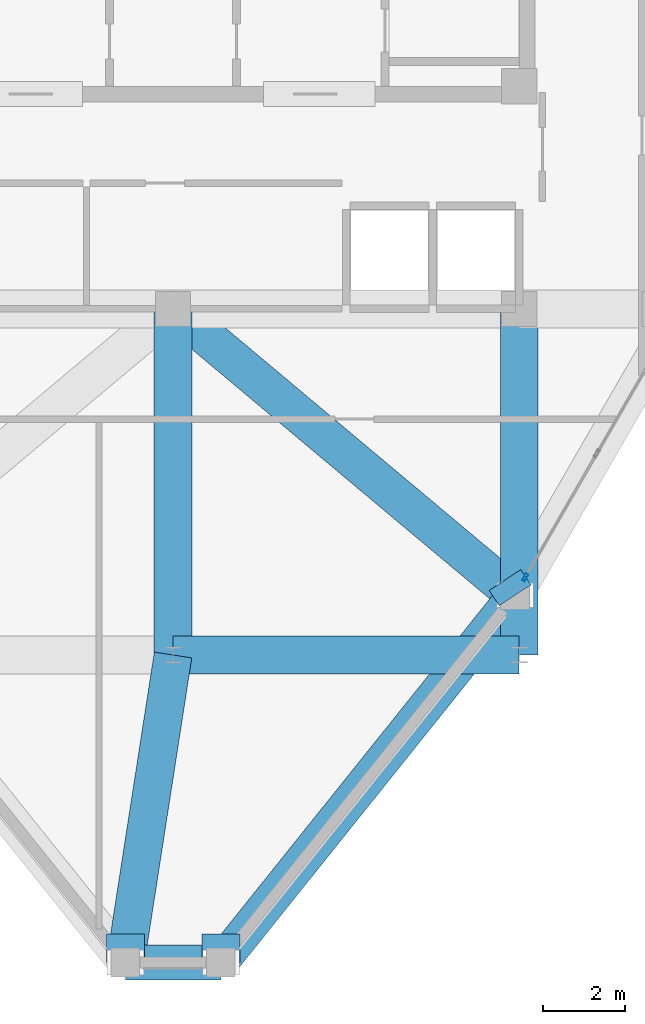
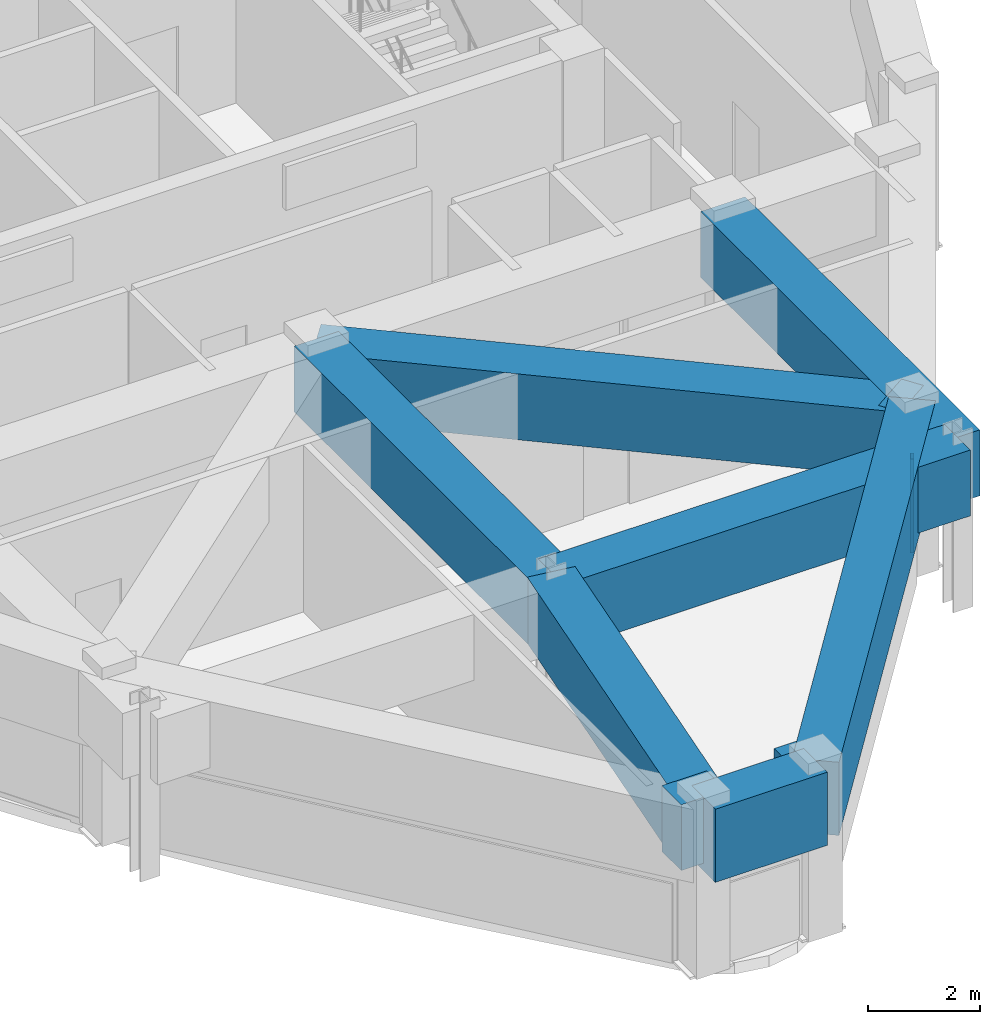
# One storey, part 3 of 13: 10 beams, 1 member, 1 element without a shape of its own.
"""IFC4 building model written with IfcOpenShell, lengths in metres."""

import ifcopenshell
import ifcopenshell.guid

model = None  # the IFC model being written
_history = None  # IfcOwnerHistory: only IFC2X3 demands one
_inside = {}  # id of a spatial element -> (the spatial element, [elements in it])
_under = {}  # id of a project, library or spatial element -> (it, [spatial elements below it])
_declared = {}  # id of a project -> (the project, [libraries it declares])
_typed = {}  # id of a type object -> (the type object, [elements of that type])
_made_of = {}  # id of a material, layer set ... -> (it, [elements and type objects made of it])


def new_model(schema):
    """Start an empty IFC model of exactly this schema.

    Asked for "IFC4X3", IfcOpenShell would pick the latest addendum, in which some entities
    have other attributes; the version numbers below select the first issue.
    IFC2X3 requires an IfcOwnerHistory on every rooted entity: one is made here for all.
    """
    global model, _history
    if schema == "IFC4X3":
        model = ifcopenshell.file(schema_version=(4, 3, 0, 0))
    else:
        model = ifcopenshell.file(schema=schema)
    _inside.clear()
    _under.clear()
    _declared.clear()
    _typed.clear()
    _made_of.clear()
    _history = None
    if model.schema == "IFC2X3":
        org = make("IfcOrganization", Name="unknown")
        user = make(
            "IfcPersonAndOrganization",
            ThePerson=make("IfcPerson", FamilyName="unknown"),
            TheOrganization=org,
        )
        app = make(
            "IfcApplication",
            ApplicationDeveloper=org,
            Version="unknown",
            ApplicationFullName="unknown",
            ApplicationIdentifier="unknown",
        )
        _history = make(
            "IfcOwnerHistory",
            OwningUser=user,
            OwningApplication=app,
            ChangeAction="ADDED",
            CreationDate=0,
        )
    return model


def make(cls, **values):
    """One entity of the class cls with the attributes given. An attribute that is None is left unset."""
    return model.create_entity(
        cls, **{name: value for name, value in values.items() if value is not None}
    )


def rooted(cls, **values):
    """An entity with a GlobalId (a new one), such as an element, a storey or a relation."""
    return make(cls, GlobalId=ifcopenshell.guid.new(), OwnerHistory=_history, **values)


def si_unit(unit_type, name, prefix=None):
    """IfcSIUnit, for example si_unit("LENGTHUNIT", "METRE", prefix="MILLI")."""
    return make("IfcSIUnit", UnitType=unit_type, Prefix=prefix, Name=name)


def derived_unit(unit_type, elements):
    """IfcDerivedUnit: a product of units, each with its exponent."""
    return make(
        "IfcDerivedUnit",
        Elements=[
            make("IfcDerivedUnitElement", Unit=unit, Exponent=power)
            for unit, power in elements
        ],
        UnitType=unit_type,
    )


def assignment(units):
    """IfcUnitAssignment: the units of a project."""
    return None if units is None else make("IfcUnitAssignment", Units=units)


def point(xyz):
    """IfcCartesianPoint."""
    return None if xyz is None else make("IfcCartesianPoint", Coordinates=xyz)


def direction(xyz):
    """IfcDirection."""
    return None if xyz is None else make("IfcDirection", DirectionRatios=xyz)


def frame(location, z_axis=None, x_axis=None):
    """IfcAxis2Placement3D, a coordinate frame: its origin and axes. An axis left out is left unset."""
    return make(
        "IfcAxis2Placement3D",
        Location=point(location),
        Axis=direction(z_axis),
        RefDirection=direction(x_axis),
    )


def frame_2d(location, x_axis=None):
    """IfcAxis2Placement2D, a coordinate frame in the plane: its origin and x axis."""
    return make(
        "IfcAxis2Placement2D", Location=point(location), RefDirection=direction(x_axis)
    )


def origin():
    """The frame at (0, 0, 0) with its axes left unset."""
    return frame((0.0, 0.0, 0.0))


def origin_2d():
    """The frame at (0, 0) in the plane with its x axis left unset."""
    return frame_2d((0.0, 0.0))


def place(relative_to, where):
    """IfcLocalPlacement: puts the frame where relative to a parent placement (None: the world)."""
    return make(
        "IfcLocalPlacement", PlacementRelTo=relative_to, RelativePlacement=where
    )


def context(
    kind, dimensions, precision=None, world=None, true_north=None, identifier=None
):
    """IfcGeometricRepresentationContext, for example the 3D "Model" context."""
    return make(
        "IfcGeometricRepresentationContext",
        ContextIdentifier=identifier,
        ContextType=kind,
        CoordinateSpaceDimension=dimensions,
        Precision=precision,
        WorldCoordinateSystem=world,
        TrueNorth=true_north,
    )


def subcontext(parent, identifier, kind, view, scale=None):
    """IfcGeometricRepresentationSubContext, for example "Body" below "Model"."""
    return make(
        "IfcGeometricRepresentationSubContext",
        ContextIdentifier=identifier,
        ContextType=kind,
        ParentContext=parent,
        TargetScale=scale,
        TargetView=view,
    )


def project(units=None, contexts=None):
    """IfcProject with its units and contexts."""
    return rooted(
        "IfcProject",
        Name="project",
        RepresentationContexts=contexts,
        UnitsInContext=assignment(units),
    )


def spatial(cls, under=None, at=None, **own):
    """A site, building, storey or space (cls), placed at a placement, below another one or the project."""
    s = rooted(cls, ObjectPlacement=at, **own)
    if under is not None:
        _under.setdefault(under.id(), (under, []))[1].append(s)
    return s


def profile(cls, at=None, kind="AREA", **sizes):
    """A parametric profile (cls). Its sizes go by their IFC names, for example OverallWidth=200.0."""
    return make(cls, ProfileType=kind, Position=at, **sizes)


def rectangle(**sizes):
    """IfcRectangleProfileDef."""
    return profile("IfcRectangleProfileDef", **sizes)


def hollow_rectangle(**sizes):
    """IfcRectangleHollowProfileDef."""
    return profile("IfcRectangleHollowProfileDef", **sizes)


def extrude(swept, where, along, depth):
    """IfcExtrudedAreaSolid: the profile swept, set in the frame where, extruded along a direction by depth."""
    return make(
        "IfcExtrudedAreaSolid",
        SweptArea=swept,
        Position=where,
        ExtrudedDirection=direction(along),
        Depth=depth,
    )


def shape(context_of_items, identifier, shape_type, items):
    """IfcShapeRepresentation: the items that make up one representation, for example the "Body"."""
    return make(
        "IfcShapeRepresentation",
        ContextOfItems=context_of_items,
        RepresentationIdentifier=identifier,
        RepresentationType=shape_type,
        Items=items,
    )


def source(mapping_origin, context_of_items, identifier, shape_type, items):
    """IfcRepresentationMap: a shape defined once, which mapped items show again and again."""
    return make(
        "IfcRepresentationMap",
        MappingOrigin=mapping_origin,
        MappedRepresentation=shape(context_of_items, identifier, shape_type, items),
    )


def transform(
    local_origin,
    x_axis=None,
    y_axis=None,
    z_axis=None,
    scale=None,
    scale2=None,
    scale3=None,
    uniform=True,
):
    """IfcCartesianTransformationOperator3D, or its non-uniform kind. x_axis, y_axis, z_axis: its Axis1, 2, 3."""
    if uniform:
        return make(
            "IfcCartesianTransformationOperator3D",
            Axis1=direction(x_axis),
            Axis2=direction(y_axis),
            LocalOrigin=point(local_origin),
            Scale=scale,
            Axis3=direction(z_axis),
        )
    return make(
        "IfcCartesianTransformationOperator3DnonUniform",
        Axis1=direction(x_axis),
        Axis2=direction(y_axis),
        LocalOrigin=point(local_origin),
        Scale=scale,
        Axis3=direction(z_axis),
        Scale2=scale2,
        Scale3=scale3,
    )


def mapped(mapping_source, mapping_target):
    """IfcMappedItem: shows the shape of a source again, moved by a transform."""
    return make(
        "IfcMappedItem", MappingSource=mapping_source, MappingTarget=mapping_target
    )


def material(Name=None, Category=None):
    """IfcMaterial."""
    return make("IfcMaterial", Name=Name, Category=Category)


def layer(
    of_material, thickness, ventilated=None, Name=None, Category=None, Priority=None
):
    """IfcMaterialLayer: one layer of a wall or slab, of a material (None: an air gap)."""
    return make(
        "IfcMaterialLayer",
        Material=of_material,
        LayerThickness=thickness,
        IsVentilated=ventilated,
        Name=Name,
        Category=Category,
        Priority=Priority,
    )


def layer_set(layers, Name=None):
    """IfcMaterialLayerSet."""
    return make("IfcMaterialLayerSet", MaterialLayers=layers, LayerSetName=Name)


def material_profile(
    of_material, cross_section, Name=None, Category=None, Priority=None
):
    """IfcMaterialProfile: a cross section and its material."""
    return make(
        "IfcMaterialProfile",
        Name=Name,
        Material=of_material,
        Profile=cross_section,
        Priority=Priority,
        Category=Category,
    )


def profile_set(profiles, Name=None, composite=None):
    """IfcMaterialProfileSet."""
    return make(
        "IfcMaterialProfileSet",
        Name=Name,
        MaterialProfiles=profiles,
        CompositeProfile=composite,
    )


def made_of(thing, what):
    """Note that an element or type object is made of a material, layer set ...; save() writes the relation."""
    if what is not None:
        _made_of.setdefault(what.id(), (what, []))[1].append(thing)
    return thing


def type_object(cls, material=None, **own):
    """A type object (cls), such as IfcWallType, which elements share."""
    return made_of(rooted(cls, **own), material)


def element(
    cls,
    number,
    at=None,
    inside=None,
    cuts=None,
    type_object=None,
    material=None,
    context=None,
    identifier="Body",
    shape_type=None,
    held_by="IfcProductDefinitionShape",
    body=None,
    shapes=None,
    **own,
):
    """One element of the class cls, such as IfcWall. Its Tag is "e" and its number.

    at: its placement. inside: the storey or other place that contains it. cuts: it is an
    opening in that element (IfcRelVoidsElement). A single representation is given by context,
    identifier, shape_type and body (its items); several are given by shapes. held_by: the class
    of the entity that holds the representations. save() writes the other relations.
    """
    e = rooted(cls, Tag="e%d" % number, ObjectPlacement=at, **own)
    if body is not None:
        shapes = [shape(context, identifier, shape_type, body)]
    if shapes is not None:
        e.Representation = make(held_by, Representations=shapes)
    if inside is not None:
        _inside.setdefault(inside.id(), (inside, []))[1].append(e)
    if cuts is not None:
        rooted(
            "IfcRelVoidsElement", RelatingBuildingElement=cuts, RelatedOpeningElement=e
        )
    if type_object is not None:
        _typed.setdefault(type_object.id(), (type_object, []))[1].append(e)
    return made_of(e, material)


def aggregate(whole, parts):
    """IfcRelAggregates: a whole, such as a stair, and the parts it consists of."""
    return rooted("IfcRelAggregates", RelatingObject=whole, RelatedObjects=parts)


def save(model, path):
    """Write the relations noted so far, then the file.

    IfcRelAggregates (storeys below a building ...), IfcRelContainedInSpatialStructure (elements
    in a storey), IfcRelDefinesByType, IfcRelAssociatesMaterial and IfcRelDeclares: one each for
    every whole, place, type object, material and project.
    """
    for whole, parts in _under.values():
        aggregate(whole, parts)
    for where, things in _inside.values():
        rooted(
            "IfcRelContainedInSpatialStructure",
            RelatedElements=things,
            RelatingStructure=where,
        )
    for kind, things in _typed.values():
        rooted("IfcRelDefinesByType", RelatedObjects=things, RelatingType=kind)
    for what, things in _made_of.values():
        rooted("IfcRelAssociatesMaterial", RelatedObjects=things, RelatingMaterial=what)
    for by, libraries in _declared.values():
        rooted("IfcRelDeclares", RelatingContext=by, RelatedDefinitions=libraries)
    model.write(path)


model = new_model("IFC4")

# Units and contexts
model_context = context("Model", 3, precision=1e-05, world=origin(), true_north=direction((0.0, 1.0)))
body_context = subcontext(model_context, "Body", "Model", "MODEL_VIEW")
ifc_project = project(units=[si_unit("LENGTHUNIT", "METRE"), si_unit("AREAUNIT", "SQUARE_METRE"), si_unit("VOLUMEUNIT", "CUBIC_METRE"), si_unit("PLANEANGLEUNIT", "RADIAN"), si_unit("MASSUNIT", "GRAM", prefix="KILO"), derived_unit("THERMALTRANSMITTANCEUNIT", [(si_unit("POWERUNIT", "WATT"), 1), (si_unit("LENGTHUNIT", "METRE"), -2), (si_unit("THERMODYNAMICTEMPERATUREUNIT", "KELVIN"), -1)])], contexts=[model_context])

# Site, building, storey
site_placement = place(None, origin())
site = spatial("IfcSite", under=ifc_project, at=site_placement, CompositionType="ELEMENT")
building_placement = place(site_placement, origin())
building = spatial("IfcBuilding", under=site, at=building_placement, Name="Korsvarv Bourse and Concert Hall", CompositionType="ELEMENT")
storey_placement = place(building_placement, frame((0.0, 0.0, 292.199951171875)))
storey = spatial("IfcBuildingStorey", under=building, at=storey_placement, Name="L76", CompositionType="ELEMENT", Elevation=292.199951171875)

# Beams
ifc_material_1 = material(Name="Concrete C50/60", Category="concrete")
ifc_material_profile_1 = material_profile(ifc_material_1, rectangle(XDim=0.919921875, YDim=1.43994140625, at=origin_2d()), Name="RC-BM 920x1440")
ifc_profile_set_1 = profile_set([ifc_material_profile_1], Name="Concrete C50/60")
beam_type_1 = type_object("IfcBeamType", Name="BM-TR-144", PredefinedType="BEAM", material=ifc_profile_set_1)
shared_shape_1 = source(origin(), body_context, "Body", "SweptSolid", [
    extrude(rectangle(XDim=0.919921875, YDim=1.43994140625, at=origin_2d()), origin(), (0.0, 0.0, 1.0), 8.39990234375),
])
for number, where, z_axis, x_axis, name in (
    (1, (36.0, 24.0, 2.929931640625), (1.0, 0.0, 0.0), (0.0, 1.0, 0.0), "L76 beam B-TR4"),
    (2, (36.0, 24.0, 2.929931640625), (0.0, 1.0, 0.0), (-1.0, 0.0, 0.0), "L76 beam B-TR4"),
    (3, (44.39990234375, 24.0, 2.929931640625), (0.0, 1.0, 0.0), (-1.0, 0.0, 0.0), "L76 beam B-TR4"),
):
    element("IfcBeam", number, at=place(storey_placement, frame(where, z_axis=z_axis, x_axis=x_axis)), inside=storey, type_object=beam_type_1, Name=name, PredefinedType="BEAM", context=body_context, shape_type="MappedRepresentation", body=[
        mapped(shared_shape_1, transform((0.0, 0.0, 0.0), scale=1.0)),
    ])
ifc_material_2 = material(Name="Concrete C55/67", Category="concrete")
ifc_material_profile_2 = material_profile(ifc_material_2, rectangle(XDim=0.85009765625, YDim=1.60009765625, at=origin_2d()), Name="RC-BM 850x1600")
ifc_profile_set_2 = profile_set([ifc_material_profile_2], Name="Concrete C55/67")
beam_type_2 = type_object("IfcBeamType", Name="BM-TR1B", PredefinedType="BEAM", material=ifc_profile_set_2)
shared_shape_2 = source(origin(), body_context, "Body", "SweptSolid", [
    extrude(rectangle(XDim=0.85009765625, YDim=1.60009765625, at=origin_2d()), origin(), (0.0, 0.0, 1.0), 2.31689453125),
])
beam_1_placement = place(storey_placement, frame((34.841552734375, 16.538818359375, 2.85009765625), z_axis=(1.0, 0.0, 0.0), x_axis=(0.0, 1.0, 0.0)))
element("IfcBeam", 4, at=beam_1_placement, inside=storey, type_object=beam_type_2, Name="L76 beam B-TR2", PredefinedType="BEAM", context=body_context, shape_type="MappedRepresentation", body=[
    mapped(shared_shape_2, transform((0.0, 0.0, 0.0), scale=1.0)),
])
shared_shape_3 = source(origin(), body_context, "Body", "SweptSolid", [
    extrude(rectangle(XDim=0.85009765625, YDim=1.60009765625, at=origin_2d()), origin(), (0.0, 0.0, 1.0), 11.417236328125),
])
beam_2_placement = place(storey_placement, frame((37.158447265625, 16.538818359375, 2.85009765625), z_axis=(0.625318099776, 0.780369959758, 0.0), x_axis=(-0.780369959758, 0.625318099776, 0.0)))
element("IfcBeam", 5, at=beam_2_placement, inside=storey, type_object=beam_type_2, Name="L76 beam B-TR2", PredefinedType="BEAM", context=body_context, shape_type="MappedRepresentation", body=[
    mapped(shared_shape_3, transform((0.0, 0.0, 0.0), scale=1.0)),
])
shared_shape_4 = source(origin(), body_context, "Body", "SweptSolid", [
    extrude(rectangle(XDim=0.919921875, YDim=1.43994140625, at=origin_2d()), origin(), (0.0, 0.0, 1.0), 10.82470703125),
])
beam_3_placement = place(storey_placement, frame((44.2978515625, 25.448486328125, 2.929931640625), z_axis=(-0.766558588979, 0.642174376368, 0.0), x_axis=(-0.642174376368, -0.766558588979, 0.0)))
element("IfcBeam", 6, at=beam_3_placement, inside=storey, type_object=beam_type_1, Name="L76 beam B-TR4", PredefinedType="BEAM", context=body_context, shape_type="MappedRepresentation", body=[
    mapped(shared_shape_4, transform((0.0, 0.0, 0.0), scale=1.0)),
])
shared_shape_5 = source(origin(), body_context, "Body", "SweptSolid", [
    extrude(rectangle(XDim=0.919921875, YDim=1.43994140625, at=origin_2d()), origin(), (0.0, 0.0, 1.0), 7.550537109375),
])
beam_4_placement = place(storey_placement, frame((34.841552734375, 16.538818359375, 2.929931640625), z_axis=(0.153424973691, 0.98816029947, 0.0), x_axis=(-0.98816029947, 0.153424973691, 0.0)))
element("IfcBeam", 7, at=beam_4_placement, inside=storey, type_object=beam_type_1, Name="L76 beam B-TR4", PredefinedType="BEAM", context=body_context, shape_type="MappedRepresentation", body=[
    mapped(shared_shape_5, transform((0.0, 0.0, 0.0), scale=1.0)),
])
shared_shape_6 = source(origin(), body_context, "Body", "SweptSolid", [
    extrude(rectangle(XDim=0.919921875, YDim=1.43994140625, at=origin_2d()), origin(), (0.0, 0.0, 1.0), 0.444091796875),
])
beam_5_placement = place(storey_placement, frame((44.2978515625, 25.448486328125, 2.929931640625), z_axis=(-0.549868953663, 0.835250940614, 0.0), x_axis=(-0.835250940614, -0.549868953663, 0.0)))
element("IfcBeam", 8, at=beam_5_placement, inside=storey, type_object=beam_type_1, Name="L76 beam B-TR4", PredefinedType="BEAM", context=body_context, shape_type="MappedRepresentation", body=[
    mapped(shared_shape_6, transform((0.0, 0.0, 0.0), scale=1.0)),
])
shared_shape_7 = source(origin(), body_context, "Body", "SweptSolid", [
    extrude(rectangle(XDim=0.919921875, YDim=1.43994140625, at=origin_2d()), origin(), (0.0, 0.0, 1.0), 0.68994140625),
])
for number, where, z_axis, x_axis, name in (
    (9, (34.841552734375, 16.538818359375, 2.929931640625), (0.0, 1.0, 0.0), (-1.0, 0.0, 0.0), "L76 beam B-TR4"),
    (10, (37.158447265625, 16.538818359375, 2.929931640625), (0.0, 1.0, 0.0), (-1.0, 0.0, 0.0), "L76 beam B-TR4"),
):
    element("IfcBeam", number, at=place(storey_placement, frame(where, z_axis=z_axis, x_axis=x_axis)), inside=storey, type_object=beam_type_1, Name=name, PredefinedType="BEAM", context=body_context, shape_type="MappedRepresentation", body=[
        mapped(shared_shape_7, transform((0.0, 0.0, 0.0), scale=1.0)),
    ])

# Curtain wall, member
ifc_material_3 = material(Name="Anodised aluminium and triple low-E glazing", Category="glass")
ifc_layer = layer(ifc_material_3, 0.22998046875)
ifc_layer_set = layer_set([ifc_layer], Name="Anodised aluminium and triple low-E glazing")
curtain_wall_type = type_object("IfcCurtainWallType", Name="CW-SYS-6", PredefinedType="NOTDEFINED", material=ifc_layer_set)
curtain_wall_placement = place(storey_placement, origin())
curtain_wall = element("IfcCurtainWall", 11, at=curtain_wall_placement, inside=storey, type_object=curtain_wall_type, Name="L76 CW6 curtain wall CW-L76-CRN11-1", PredefinedType="NOTDEFINED")
ifc_material_4 = material(Name="Extruded aluminium EN AW-6063 T66", Category="aluminium")
ifc_material_profile_3 = material_profile(ifc_material_4, hollow_rectangle(XDim=0.070068359375, YDim=0.18994140625, WallThickness=0.0048828125, at=origin_2d()), Name="ALU-M 70x190")
ifc_profile_set_3 = profile_set([ifc_material_profile_3], Name="Extruded aluminium EN AW-6063 T66")
member_type = type_object("IfcMemberType", Name="CWM-190", PredefinedType="MULLION", material=ifc_profile_set_3)
shared_shape_8 = source(origin(), body_context, "Body", "SweptSolid", [
    extrude(hollow_rectangle(XDim=0.070068359375, YDim=0.18994140625, WallThickness=0.0048828125, at=origin_2d()), origin(), (0.0, 0.0, 1.0), 2.050048828125),
])
member_placement = place(storey_placement, frame((44.546142578125, 25.878662109375, 0.0), z_axis=(0.0, 0.0, 1.0), x_axis=(-0.86602704815, 0.499997151864, 0.0)))
member = element("IfcMember", 12, at=member_placement, type_object=member_type, Name="CW6 mullion 1", PredefinedType="MULLION", context=body_context, shape_type="MappedRepresentation", body=[
    mapped(shared_shape_8, transform((0.0, 0.0, 0.0), scale=1.0)),
])
aggregate(curtain_wall, [member])

save(model, "model.ifc")
